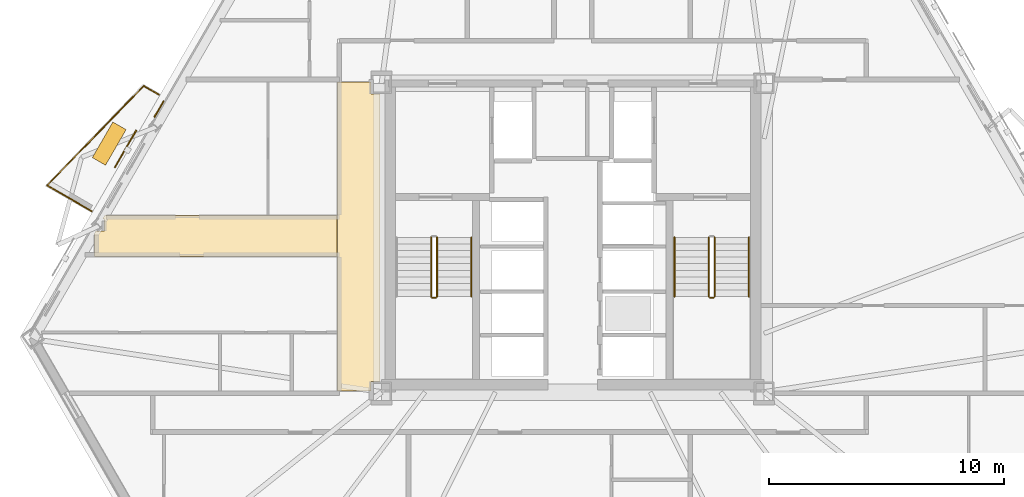
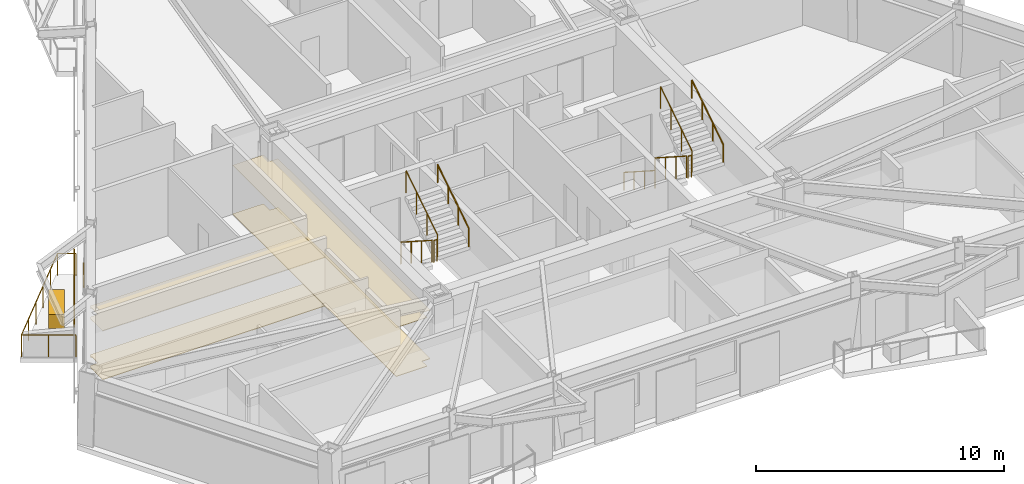
# One storey, part 8 of 11: 12 railings, 6 coverings, 1 shading device.
"""IFC4 building model written with IfcOpenShell, lengths in metres."""

from ifc_helpers import new_model, si_unit, direction, frame, origin, origin_2d, place, context, subcontext, project, spatial, polyline, rectangle, circle, outline, extrude, material, layer, layer_set, type_object, element, save


model = new_model("IFC4")

# Units and contexts
model_context = context("Model", 3, precision=1e-05, world=origin(), true_north=direction((0.0, 1.0)))
body_context = subcontext(model_context, "Body", "Model", "MODEL_VIEW")
ifc_project = project(units=[si_unit("LENGTHUNIT", "METRE"), si_unit("AREAUNIT", "SQUARE_METRE"), si_unit("VOLUMEUNIT", "CUBIC_METRE"), si_unit("PLANEANGLEUNIT", "RADIAN"), si_unit("MASSUNIT", "GRAM", prefix="KILO")], contexts=[model_context])

# Site, building, storey
site_placement = place(None, origin())
site = spatial("IfcSite", under=ifc_project, at=site_placement, CompositionType="ELEMENT")
building_placement = place(site_placement, origin())
building = spatial("IfcBuilding", under=site, at=building_placement, Name="Oramaril Tower", CompositionType="ELEMENT")
storey_placement = place(building_placement, frame((0.0, 0.0, 112.199951171875)))
storey = spatial("IfcBuildingStorey", under=building, at=storey_placement, Name="L29", CompositionType="ELEMENT", Elevation=112.199951171875)

# Coverings
ifc_material_1 = material(Name="Mineral Fibre Acoustic Ceiling")
ifc_layer_1 = layer(ifc_material_1, 0.02001953125)
ifc_layer_set_1 = layer_set([ifc_layer_1], Name="CVT-CEIL")
covering_type_1 = type_object("IfcCoveringType", Name="CVT-CEIL", PredefinedType="CEILING", material=ifc_layer_set_1)
covering_1_placement = place(storey_placement, frame((0.0, 0.0, 2.400146484375)))
element("IfcCovering", 1, at=covering_1_placement, inside=storey, type_object=covering_type_1, Name="L29 Acoustic Suspended Ceiling 3", PredefinedType="CEILING", context=body_context, shape_type="SweptSolid", body=[
    extrude(outline(polyline([(28.905029296875, 23.705078125), (29.280029296875, 23.705078125), (29.280029296875, 11.445068359375), (28.905029296875, 11.445068359375), (28.905029296875, 11.050048828125), (27.469970703125, 11.050048828125), (27.469970703125, 24.219970703125), (28.905029296875, 24.219970703125), (28.905029296875, 23.705078125)])), origin(), (0.0, 0.0, 1.0), 0.02001953125),
])
covering_2_placement = place(storey_placement, frame((0.0, 0.0, 2.400146484375)))
element("IfcCovering", 2, at=covering_2_placement, inside=storey, type_object=covering_type_1, Name="L29 Acoustic Suspended Ceiling 5", PredefinedType="CEILING", context=body_context, shape_type="SweptSolid", body=[
    extrude(outline(polyline([(17.1201171875, 16.77001953125), (17.1201171875, 17.771240234375), (17.169921875, 17.85791015625), (17.53857421875, 17.85791015625), (17.53857421875, 18.368408203125), (17.46484375, 18.368408203125), (17.55810546875, 18.530029296875), (27.449951171875, 18.530029296875), (27.449951171875, 16.77001953125), (17.1201171875, 16.77001953125)])), origin(), (0.0, 0.0, 1.0), 0.02001953125),
])
ifc_material_2 = material(Name="Warm Cream Limestone", Category="masonry")
ifc_layer_2 = layer(ifc_material_2, 0.050048828125)
ifc_layer_set_2 = layer_set([ifc_layer_2], Name="CVT-CLD")
covering_type_2 = type_object("IfcCoveringType", Name="CVT-CLD", PredefinedType="CLADDING", material=ifc_layer_set_2)
covering_3_placement = place(storey_placement, frame((19.8681640625, 23.05712890625, 0.0400390625), z_axis=(0.0, 0.0, 1.0), x_axis=(-0.5, -0.866025403784, 0.0)))
element("IfcCovering", 3, at=covering_3_placement, inside=storey, type_object=covering_type_2, Name="L29 Warm Cream Limestone Spandrel Cladding", PredefinedType="CLADDING", context=body_context, shape_type="SweptSolid", body=[
    extrude(rectangle(XDim=0.800048828125, YDim=0.050048828125, at=origin_2d()), origin(), (0.0, 0.0, 1.0), 0.679931640625),
])
covering_4_placement = place(storey_placement, frame((17.744384765625, 21.586181640625, 0.0), z_axis=(0.0, 0.0, 1.0), x_axis=(-0.5, -0.866025403784, 0.0)))
element("IfcCovering", 4, at=covering_4_placement, inside=storey, type_object=covering_type_2, Name="L29 Structural Tree Planter Box L29-BAL-NW2", PredefinedType="CLADDING", context=body_context, shape_type="SweptSolid", body=[
    extrude(rectangle(XDim=1.75, YDim=0.64990234375, at=origin_2d()), origin(), (0.0, 0.0, 1.0), 0.699951171875),
])
ifc_material_3 = material(Name="Honed Quartzite Stone Flooring", Category="masonry")
ifc_layer_3 = layer(ifc_material_3, 0.02490234375)
ifc_layer_set_3 = layer_set([ifc_layer_3], Name="CVT-FLR")
covering_type_3 = type_object("IfcCoveringType", Name="CVT-FLR", PredefinedType="FLOORING", material=ifc_layer_set_3)
covering_5_placement = place(storey_placement, origin())
element("IfcCovering", 5, at=covering_5_placement, inside=storey, type_object=covering_type_3, Name="L29 Honed Stone Floor Finish 3", PredefinedType="FLOORING", context=body_context, shape_type="SweptSolid", body=[
    extrude(outline(polyline([(28.905029296875, 23.705078125), (29.280029296875, 23.705078125), (29.280029296875, 11.445068359375), (28.905029296875, 11.445068359375), (28.905029296875, 11.050048828125), (27.469970703125, 11.050048828125), (27.469970703125, 24.219970703125), (28.905029296875, 24.219970703125), (28.905029296875, 23.705078125)])), origin(), (0.0, 0.0, 1.0), 0.025146484375),
])
covering_6_placement = place(storey_placement, origin())
element("IfcCovering", 6, at=covering_6_placement, inside=storey, type_object=covering_type_3, Name="L29 Honed Stone Floor Finish 5", PredefinedType="FLOORING", context=body_context, shape_type="SweptSolid", body=[
    extrude(outline(polyline([(17.1201171875, 16.77001953125), (17.1201171875, 17.771240234375), (17.169921875, 17.85791015625), (17.53857421875, 17.85791015625), (17.53857421875, 18.368408203125), (17.46484375, 18.368408203125), (17.55810546875, 18.530029296875), (27.449951171875, 18.530029296875), (27.449951171875, 16.77001953125), (17.1201171875, 16.77001953125)])), origin(), (0.0, 0.0, 1.0), 0.025146484375),
])

# Railings
ifc_material_4 = material(Name="Stainless Steel 316L", Category="steel")
railing_type_1 = type_object("IfcRailingType", Name="RLT-GRD", PredefinedType="GUARDRAIL", material=ifc_material_4)
railing_1_placement = place(storey_placement, frame((16.994873046875, 18.710693359375, 0.0)))
element("IfcRailing", 7, at=railing_1_placement, inside=storey, type_object=railing_type_1, Name="L29 Balcony Guardrail L29-BAL-NW2.1", PredefinedType="GUARDRAIL", context=body_context, shape_type="SweptSolid", body=[
    extrude(circle(Radius=0.02392578125, at=origin_2d()), frame((0.0, 0.0, 1.076171875), z_axis=(-0.866020500697, 0.5000084923, 0.0), x_axis=(-0.5000084923, -0.866020500697, 0.0)), (0.0, 0.0, 1.0), 2.19189453125),
    extrude(circle(Radius=0.02099609375, at=origin_2d()), origin(), (0.0, 0.0, 1.0), 1.052001953125),
    extrude(circle(Radius=0.02099609375, at=origin_2d()), frame((-0.94921875, 0.5478515625, 0.0)), (0.0, 0.0, 1.0), 1.052001953125),
    extrude(circle(Radius=0.02099609375, at=origin_2d()), frame((-1.898193359375, 1.095947265625, 0.0)), (0.0, 0.0, 1.0), 1.052001953125),
])
railing_2_placement = place(storey_placement, frame((15.0966796875, 19.806640625, 0.0)))
element("IfcRailing", 8, at=railing_2_placement, inside=storey, type_object=railing_type_1, Name="L29 Balcony Guardrail L29-BAL-NW2.2", PredefinedType="GUARDRAIL", context=body_context, shape_type="SweptSolid", body=[
    extrude(circle(Radius=0.02392578125, at=origin_2d()), frame((0.0, 0.0, 1.076171875), z_axis=(0.697165686546, 0.716910040034, 0.0), x_axis=(-0.716910040034, 0.697165686546, 0.0)), (0.0, 0.0, 1.0), 5.910400390625),
    extrude(circle(Radius=0.02099609375, at=origin_2d()), origin(), (0.0, 0.0, 1.0), 1.052001953125),
    extrude(circle(Radius=0.02099609375, at=origin_2d()), frame((0.82421875, 0.847412109375, 0.0)), (0.0, 0.0, 1.0), 1.052001953125),
    extrude(circle(Radius=0.02099609375, at=origin_2d()), frame((1.648193359375, 1.69482421875, 0.0)), (0.0, 0.0, 1.0), 1.052001953125),
    extrude(circle(Radius=0.02099609375, at=origin_2d()), frame((2.472412109375, 2.54248046875, 0.0)), (0.0, 0.0, 1.0), 1.052001953125),
    extrude(circle(Radius=0.02099609375, at=origin_2d()), frame((3.29638671875, 3.389892578125, 0.0)), (0.0, 0.0, 1.0), 1.052001953125),
    extrude(circle(Radius=0.02099609375, at=origin_2d()), frame((4.12060546875, 4.2373046875, 0.0)), (0.0, 0.0, 1.0), 1.052001953125),
])
railing_3_placement = place(storey_placement, frame((19.21728515625, 24.0439453125, 0.0)))
element("IfcRailing", 9, at=railing_3_placement, inside=storey, type_object=railing_type_1, Name="L29 Balcony Guardrail L29-BAL-NW2.3", PredefinedType="GUARDRAIL", context=body_context, shape_type="SweptSolid", body=[
    extrude(circle(Radius=0.02392578125, at=origin_2d()), frame((0.0, 0.0, 1.076171875), z_axis=(0.866108878364, -0.499855389907, 0.0), x_axis=(0.499855389907, 0.866108878364, 0.0)), (0.0, 0.0, 1.0), 0.741943359375),
    extrude(circle(Radius=0.02099609375, at=origin_2d()), origin(), (0.0, 0.0, 1.0), 1.052001953125),
    extrude(circle(Radius=0.02099609375, at=origin_2d()), frame((0.642578125, -0.370849609375, 0.0)), (0.0, 0.0, 1.0), 1.052001953125),
])
railing_4_placement = place(storey_placement, frame((31.4599609375, 17.590087890625, 0.179931640625)))
element("IfcRailing", 10, at=railing_4_placement, inside=storey, type_object=railing_type_1, Name="L29 ST-1 stair guard 1", PredefinedType="GUARDRAIL", context=body_context, shape_type="SweptSolid", body=[
    extrude(circle(Radius=0.02392578125, at=origin_2d()), frame((0.0, 0.0, 1.076171875), z_axis=(0.0, -0.841162588446, 0.540782303519), x_axis=(1.0, 0.0, 0.0)), (0.0, 0.0, 1.0), 2.995849609375),
    extrude(circle(Radius=0.02099609375, at=origin_2d()), origin(), (0.0, 0.0, 1.0), 1.052001953125),
    extrude(circle(Radius=0.02099609375, at=origin_2d()), frame((0.0, -0.840087890625, 0.5400390625)), (0.0, 0.0, 1.0), 1.052001953125),
    extrude(circle(Radius=0.02099609375, at=origin_2d()), frame((0.0, -1.679931640625, 1.080078125)), (0.0, 0.0, 1.0), 1.052001953125),
    extrude(circle(Radius=0.02099609375, at=origin_2d()), frame((0.0, -2.52001953125, 1.6201171875)), (0.0, 0.0, 1.0), 1.052001953125),
])
railing_5_placement = place(storey_placement, frame((31.510009765625, 15.02001953125, 1.800048828125)))
element("IfcRailing", 11, at=railing_5_placement, inside=storey, type_object=railing_type_1, Name="L29 ST-1 stair guard 2", PredefinedType="GUARDRAIL", context=body_context, shape_type="SweptSolid", body=[
    extrude(circle(Radius=0.02392578125, at=origin_2d()), frame((0.0, 0.0, 1.076171875), z_axis=(1.0, 0.0, 0.0), x_axis=(0.0, 1.0, 0.0)), (0.0, 0.0, 1.0), 0.14990234375),
    extrude(circle(Radius=0.02099609375, at=origin_2d()), origin(), (0.0, 0.0, 1.0), 1.052001953125),
    extrude(circle(Radius=0.02099609375, at=origin_2d()), frame((0.14990234375, 0.0, 0.0)), (0.0, 0.0, 1.0), 1.052001953125),
])
railing_6_placement = place(storey_placement, frame((31.7099609375, 15.070068359375, 1.97998046875)))
element("IfcRailing", 12, at=railing_6_placement, inside=storey, type_object=railing_type_1, Name="L29 ST-1 stair guard 3", PredefinedType="GUARDRAIL", context=body_context, shape_type="SweptSolid", body=[
    extrude(circle(Radius=0.02392578125, at=origin_2d()), frame((0.0, 0.0, 1.076171875), z_axis=(0.0, 0.841162588446, 0.540782303519), x_axis=(-1.0, 0.0, 0.0)), (0.0, 0.0, 1.0), 2.995849609375),
    extrude(circle(Radius=0.02099609375, at=origin_2d()), origin(), (0.0, 0.0, 1.0), 1.052001953125),
    extrude(circle(Radius=0.02099609375, at=origin_2d()), frame((0.0, 0.840087890625, 0.5400390625)), (0.0, 0.0, 1.0), 1.052001953125),
    extrude(circle(Radius=0.02099609375, at=origin_2d()), frame((0.0, 1.679931640625, 1.080078125)), (0.0, 0.0, 1.0), 1.052001953125),
    extrude(circle(Radius=0.02099609375, at=origin_2d()), frame((0.0, 2.52001953125, 1.6201171875)), (0.0, 0.0, 1.0), 1.052001953125),
])
railing_7_placement = place(storey_placement, frame((43.2900390625, 17.590087890625, 0.179931640625)))
element("IfcRailing", 13, at=railing_7_placement, inside=storey, type_object=railing_type_1, Name="L29 ST-2 stair guard 1", PredefinedType="GUARDRAIL", context=body_context, shape_type="SweptSolid", body=[
    extrude(circle(Radius=0.02392578125, at=origin_2d()), frame((0.0, 0.0, 1.076171875), z_axis=(0.0, -0.841162588446, 0.540782303519), x_axis=(1.0, 0.0, 0.0)), (0.0, 0.0, 1.0), 2.995849609375),
    extrude(circle(Radius=0.02099609375, at=origin_2d()), origin(), (0.0, 0.0, 1.0), 1.052001953125),
    extrude(circle(Radius=0.02099609375, at=origin_2d()), frame((0.0, -0.840087890625, 0.5400390625)), (0.0, 0.0, 1.0), 1.052001953125),
    extrude(circle(Radius=0.02099609375, at=origin_2d()), frame((0.0, -1.679931640625, 1.080078125)), (0.0, 0.0, 1.0), 1.052001953125),
    extrude(circle(Radius=0.02099609375, at=origin_2d()), frame((0.0, -2.52001953125, 1.6201171875)), (0.0, 0.0, 1.0), 1.052001953125),
])
railing_8_placement = place(storey_placement, frame((43.340087890625, 15.02001953125, 1.800048828125)))
element("IfcRailing", 14, at=railing_8_placement, inside=storey, type_object=railing_type_1, Name="L29 ST-2 stair guard 2", PredefinedType="GUARDRAIL", context=body_context, shape_type="SweptSolid", body=[
    extrude(circle(Radius=0.02392578125, at=origin_2d()), frame((0.0, 0.0, 1.076171875), z_axis=(1.0, 0.0, 0.0), x_axis=(0.0, 1.0, 0.0)), (0.0, 0.0, 1.0), 0.14990234375),
    extrude(circle(Radius=0.02099609375, at=origin_2d()), origin(), (0.0, 0.0, 1.0), 1.052001953125),
    extrude(circle(Radius=0.02099609375, at=origin_2d()), frame((0.14990234375, 0.0, 0.0)), (0.0, 0.0, 1.0), 1.052001953125),
])
railing_9_placement = place(storey_placement, frame((43.5400390625, 15.070068359375, 1.97998046875)))
element("IfcRailing", 15, at=railing_9_placement, inside=storey, type_object=railing_type_1, Name="L29 ST-2 stair guard 3", PredefinedType="GUARDRAIL", context=body_context, shape_type="SweptSolid", body=[
    extrude(circle(Radius=0.02392578125, at=origin_2d()), frame((0.0, 0.0, 1.076171875), z_axis=(0.0, 0.841162588446, 0.540782303519), x_axis=(-1.0, 0.0, 0.0)), (0.0, 0.0, 1.0), 2.995849609375),
    extrude(circle(Radius=0.02099609375, at=origin_2d()), origin(), (0.0, 0.0, 1.0), 1.052001953125),
    extrude(circle(Radius=0.02099609375, at=origin_2d()), frame((0.0, 0.840087890625, 0.5400390625)), (0.0, 0.0, 1.0), 1.052001953125),
    extrude(circle(Radius=0.02099609375, at=origin_2d()), frame((0.0, 1.679931640625, 1.080078125)), (0.0, 0.0, 1.0), 1.052001953125),
    extrude(circle(Radius=0.02099609375, at=origin_2d()), frame((0.0, 2.52001953125, 1.6201171875)), (0.0, 0.0, 1.0), 1.052001953125),
])
ifc_material_5 = material(Name="Stainless Steel 316L", Category="steel")
railing_type_2 = type_object("IfcRailingType", Name="RLT-HND", PredefinedType="HANDRAIL", material=ifc_material_5)
railing_10_placement = place(storey_placement, frame((33.169921875, 15.070068359375, 1.97998046875)))
element("IfcRailing", 16, at=railing_10_placement, inside=storey, type_object=railing_type_2, Name="L29 ST-1 stair handrail 2", PredefinedType="HANDRAIL", context=body_context, shape_type="SweptSolid", body=[
    extrude(circle(Radius=0.02392578125, at=origin_2d()), frame((0.0, 0.0, 0.8759765625), z_axis=(0.0, 0.841162588446, 0.540782303519), x_axis=(-1.0, 0.0, 0.0)), (0.0, 0.0, 1.0), 2.995849609375),
    extrude(circle(Radius=0.02099609375, at=origin_2d()), origin(), (0.0, 0.0, 1.0), 0.851806640625),
    extrude(circle(Radius=0.02099609375, at=origin_2d()), frame((0.0, 0.840087890625, 0.5400390625)), (0.0, 0.0, 1.0), 0.851806640625),
    extrude(circle(Radius=0.02099609375, at=origin_2d()), frame((0.0, 1.679931640625, 1.080078125)), (0.0, 0.0, 1.0), 0.851806640625),
    extrude(circle(Radius=0.02099609375, at=origin_2d()), frame((0.0, 2.52001953125, 1.6201171875)), (0.0, 0.0, 1.0), 0.851806640625),
])
railing_11_placement = place(storey_placement, frame((41.830078125, 17.590087890625, 0.179931640625)))
element("IfcRailing", 17, at=railing_11_placement, inside=storey, type_object=railing_type_2, Name="L29 ST-2 stair handrail 1", PredefinedType="HANDRAIL", context=body_context, shape_type="SweptSolid", body=[
    extrude(circle(Radius=0.02392578125, at=origin_2d()), frame((0.0, 0.0, 0.8759765625), z_axis=(0.0, -0.841162588446, 0.540782303519), x_axis=(1.0, 0.0, 0.0)), (0.0, 0.0, 1.0), 2.995849609375),
    extrude(circle(Radius=0.02099609375, at=origin_2d()), origin(), (0.0, 0.0, 1.0), 0.851806640625),
    extrude(circle(Radius=0.02099609375, at=origin_2d()), frame((0.0, -0.840087890625, 0.5400390625)), (0.0, 0.0, 1.0), 0.851806640625),
    extrude(circle(Radius=0.02099609375, at=origin_2d()), frame((0.0, -1.679931640625, 1.080078125)), (0.0, 0.0, 1.0), 0.851806640625),
    extrude(circle(Radius=0.02099609375, at=origin_2d()), frame((0.0, -2.52001953125, 1.6201171875)), (0.0, 0.0, 1.0), 0.851806640625),
])
railing_12_placement = place(storey_placement, frame((45.0, 15.070068359375, 1.97998046875)))
element("IfcRailing", 18, at=railing_12_placement, inside=storey, type_object=railing_type_2, Name="L29 ST-2 stair handrail 2", PredefinedType="HANDRAIL", context=body_context, shape_type="SweptSolid", body=[
    extrude(circle(Radius=0.02392578125, at=origin_2d()), frame((0.0, 0.0, 0.8759765625), z_axis=(0.0, 0.841162588446, 0.540782303519), x_axis=(-1.0, 0.0, 0.0)), (0.0, 0.0, 1.0), 2.995849609375),
    extrude(circle(Radius=0.02099609375, at=origin_2d()), origin(), (0.0, 0.0, 1.0), 0.851806640625),
    extrude(circle(Radius=0.02099609375, at=origin_2d()), frame((0.0, 0.840087890625, 0.5400390625)), (0.0, 0.0, 1.0), 0.851806640625),
    extrude(circle(Radius=0.02099609375, at=origin_2d()), frame((0.0, 1.679931640625, 1.080078125)), (0.0, 0.0, 1.0), 0.851806640625),
    extrude(circle(Radius=0.02099609375, at=origin_2d()), frame((0.0, 2.52001953125, 1.6201171875)), (0.0, 0.0, 1.0), 0.851806640625),
])

# Shading device
shading_device_placement = place(storey_placement, frame((18.44287109375, 21.3623046875, -0.02001953125), z_axis=(0.0, 0.0, 1.0), x_axis=(-0.5, -0.866025403784, 0.0)))
element("IfcShadingDevice", 19, at=shading_device_placement, inside=storey, Name="L29 Perforated Ceramic Solar Screen", ObjectType="SCREEN", PredefinedType="USERDEFINED", context=body_context, shape_type="SweptSolid", body=[
    extrude(rectangle(XDim=1.8330078125, YDim=0.050048828125, at=origin_2d()), origin(), (0.0, 0.0, 1.0), 2.577880859375),
])

save(model, "model.ifc")
